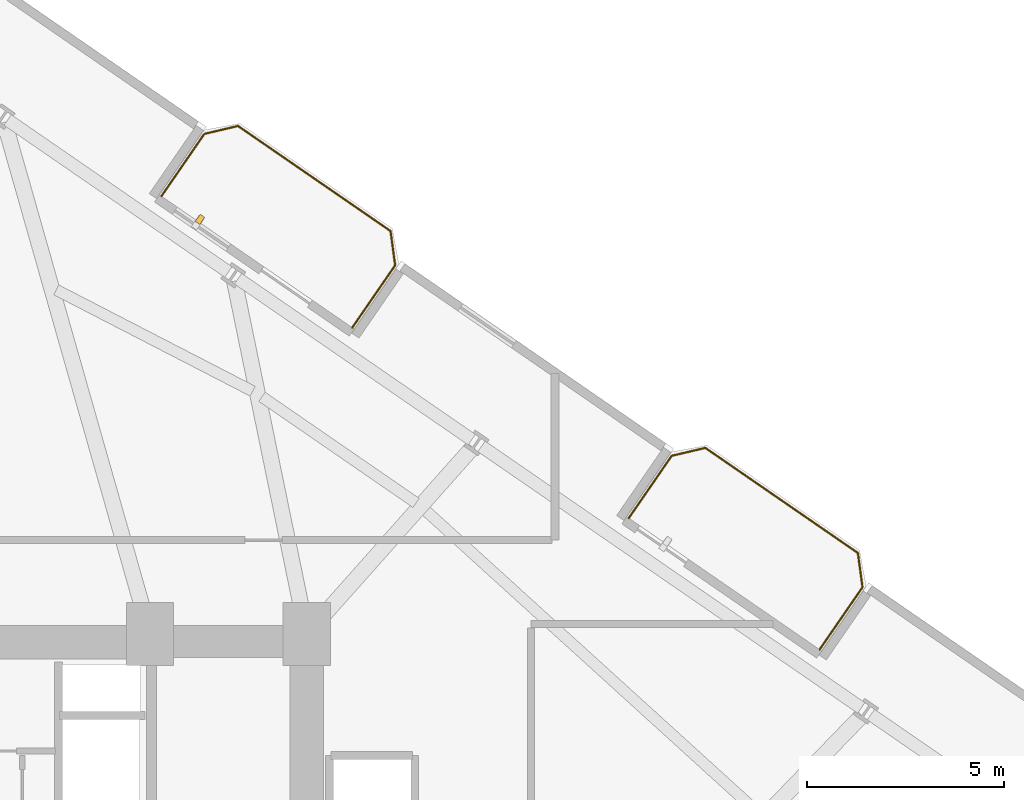
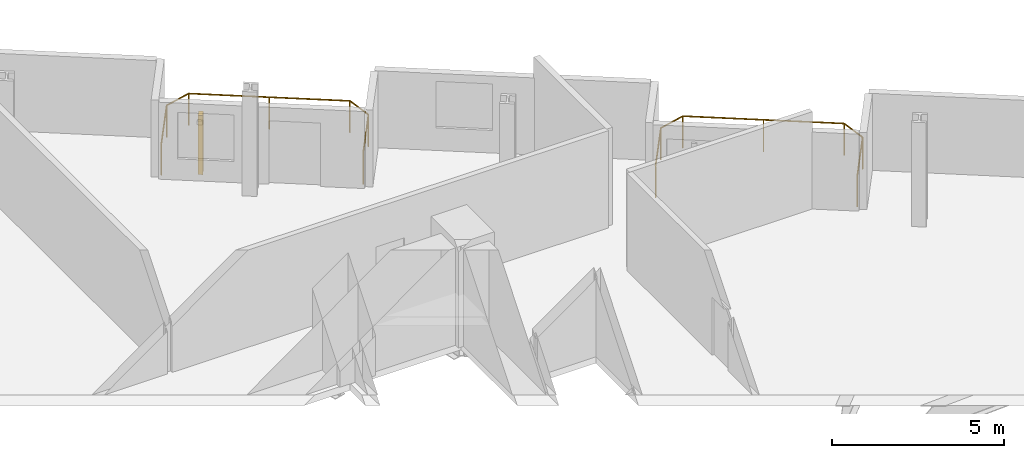
# One storey, part 24 of 24: 2 railings, 1 shading device.
"""IFC4 building model written with IfcOpenShell, lengths in metres."""

from ifc_helpers import new_model, si_unit, direction, frame, origin, origin_2d, place, context, subcontext, project, spatial, rectangle, circle, extrude, source, transform, mapped, material, type_object, element, save


model = new_model("IFC4")

# Units and contexts
model_context = context("Model", 3, precision=1e-05, world=origin(), true_north=direction((0.0, 1.0)))
body_context = subcontext(model_context, "Body", "Model", "MODEL_VIEW")
ifc_project = project(units=[si_unit("LENGTHUNIT", "METRE"), si_unit("AREAUNIT", "SQUARE_METRE"), si_unit("VOLUMEUNIT", "CUBIC_METRE"), si_unit("PLANEANGLEUNIT", "RADIAN"), si_unit("MASSUNIT", "GRAM", prefix="KILO")], contexts=[model_context])

# Site, building, storey
site_placement = place(None, origin())
site = spatial("IfcSite", under=ifc_project, at=site_placement, CompositionType="ELEMENT")
building_placement = place(site_placement, origin())
building = spatial("IfcBuilding", under=site, at=building_placement, Name="Varnelok Gate Tower", CompositionType="ELEMENT")
storey_placement = place(building_placement, frame((0.0, 0.0, 38.10009765625)))
storey = spatial("IfcBuildingStorey", under=building, at=storey_placement, Name="L08", CompositionType="ELEMENT", Elevation=38.10009765625)

# Railings
ifc_material_1 = material(Name="Low-E Laminated Double Glazing IGU", Category="glass")
railing_type = type_object("IfcRailingType", Name="RL-BALC-1150", PredefinedType="BALUSTRADE", material=ifc_material_1)
railing_1_placement = place(storey_placement, frame((44.010009765625, 50.158203125, 0.0)))
element("IfcRailing", 1, at=railing_1_placement, inside=storey, type_object=railing_type, Name="L08 North Terrace Balustrade 3", PredefinedType="BALUSTRADE", context=body_context, shape_type="SweptSolid", body=[
    extrude(circle(Radius=0.02392578125, at=origin_2d()), frame((0.0, 0.0, 1.1259765625), z_axis=(0.567284155424, 0.82352212296, 0.0), x_axis=(-0.82352212296, 0.567284155424, 0.0)), (0.0, 0.0, 1.0), 1.919921875),
    extrude(circle(Radius=0.02392578125, at=origin_2d()), frame((1.089111328125, 1.5810546875, 1.1259765625), z_axis=(0.973526462254, 0.228574336467, 0.0), x_axis=(-0.228574336467, 0.973526462254, 0.0)), (0.0, 0.0, 1.0), 0.8779296875),
    extrude(circle(Radius=0.02392578125, at=origin_2d()), frame((1.94384765625, 1.78173828125, 1.1259765625), z_axis=(0.823523239622, -0.567282534371, 0.0), x_axis=(0.567282534371, 0.823523239622, 0.0)), (0.0, 0.0, 1.0), 4.699951171875),
    extrude(circle(Radius=0.02392578125, at=origin_2d()), frame((5.814453125, -0.884521484375, 1.1259765625), z_axis=(0.133238627421, -0.991083986433, 0.0), x_axis=(0.991083986433, 0.133238627421, 0.0)), (0.0, 0.0, 1.0), 0.877685546875),
    extrude(circle(Radius=0.02392578125, at=origin_2d()), frame((5.931396484375, -1.75439453125, 1.1259765625), z_axis=(-0.567224752248, -0.823563039747, 0.0), x_axis=(0.823563039747, -0.567224752248, 0.0)), (0.0, 0.0, 1.0), 1.920166015625),
    extrude(circle(Radius=0.02099609375, at=origin_2d()), origin(), (0.0, 0.0, 1.0), 1.101806640625),
    extrude(circle(Radius=0.02099609375, at=origin_2d()), frame((1.089111328125, 1.5810546875, 0.0)), (0.0, 0.0, 1.0), 1.101806640625),
    extrude(circle(Radius=0.02099609375, at=origin_2d()), frame((1.94384765625, 1.78173828125, 0.0)), (0.0, 0.0, 1.0), 1.101806640625),
    extrude(circle(Radius=0.02099609375, at=origin_2d()), frame((3.879150390625, 0.44873046875, 0.0)), (0.0, 0.0, 1.0), 1.101806640625),
    extrude(circle(Radius=0.02099609375, at=origin_2d()), frame((5.814453125, -0.884521484375, 0.0)), (0.0, 0.0, 1.0), 1.101806640625),
    extrude(circle(Radius=0.02099609375, at=origin_2d()), frame((5.931396484375, -1.75439453125, 0.0)), (0.0, 0.0, 1.0), 1.101806640625),
    extrude(circle(Radius=0.02099609375, at=origin_2d()), frame((4.84228515625, -3.335693359375, 0.0)), (0.0, 0.0, 1.0), 1.101806640625),
])
railing_2_placement = place(storey_placement, frame((55.868896484375, 41.989501953125, 0.0)))
element("IfcRailing", 2, at=railing_2_placement, inside=storey, type_object=railing_type, Name="L08 North Terrace Balustrade 4", PredefinedType="BALUSTRADE", context=body_context, shape_type="SweptSolid", body=[
    extrude(circle(Radius=0.02392578125, at=origin_2d()), frame((0.0, 0.0, 1.1259765625), z_axis=(0.567284155424, 0.82352212296, 0.0), x_axis=(-0.82352212296, 0.567284155424, 0.0)), (0.0, 0.0, 1.0), 1.919921875),
    extrude(circle(Radius=0.02392578125, at=origin_2d()), frame((1.089111328125, 1.5810546875, 1.1259765625), z_axis=(0.973526462254, 0.228574336467, 0.0), x_axis=(-0.228574336467, 0.973526462254, 0.0)), (0.0, 0.0, 1.0), 0.8779296875),
    extrude(circle(Radius=0.02392578125, at=origin_2d()), frame((1.94384765625, 1.78173828125, 1.1259765625), z_axis=(0.823523239622, -0.567282534371, 0.0), x_axis=(0.567282534371, 0.823523239622, 0.0)), (0.0, 0.0, 1.0), 4.699951171875),
    extrude(circle(Radius=0.02392578125, at=origin_2d()), frame((5.814453125, -0.884521484375, 1.1259765625), z_axis=(0.133238627421, -0.991083986433, 0.0), x_axis=(0.991083986433, 0.133238627421, 0.0)), (0.0, 0.0, 1.0), 0.877685546875),
    extrude(circle(Radius=0.02392578125, at=origin_2d()), frame((5.931396484375, -1.75439453125, 1.1259765625), z_axis=(-0.567224752248, -0.823563039747, 0.0), x_axis=(0.823563039747, -0.567224752248, 0.0)), (0.0, 0.0, 1.0), 1.920166015625),
    extrude(circle(Radius=0.02099609375, at=origin_2d()), origin(), (0.0, 0.0, 1.0), 1.101806640625),
    extrude(circle(Radius=0.02099609375, at=origin_2d()), frame((1.089111328125, 1.5810546875, 0.0)), (0.0, 0.0, 1.0), 1.101806640625),
    extrude(circle(Radius=0.02099609375, at=origin_2d()), frame((1.94384765625, 1.78173828125, 0.0)), (0.0, 0.0, 1.0), 1.101806640625),
    extrude(circle(Radius=0.02099609375, at=origin_2d()), frame((3.879150390625, 0.44873046875, 0.0)), (0.0, 0.0, 1.0), 1.101806640625),
    extrude(circle(Radius=0.02099609375, at=origin_2d()), frame((5.814453125, -0.884521484375, 0.0)), (0.0, 0.0, 1.0), 1.101806640625),
    extrude(circle(Radius=0.02099609375, at=origin_2d()), frame((5.931396484375, -1.75439453125, 0.0)), (0.0, 0.0, 1.0), 1.101806640625),
    extrude(circle(Radius=0.02099609375, at=origin_2d()), frame((4.84228515625, -3.335693359375, 0.0)), (0.0, 0.0, 1.0), 1.101806640625),
])

# Shading device
ifc_material_2 = material(Name="Glazed Architectural Terracotta Ceramic", Category="masonry")
shading_device_type = type_object("IfcShadingDeviceType", Name="SHD-TERRA-BAGUETTE", PredefinedType="USERDEFINED", material=ifc_material_2)
shared_shape = source(origin(), body_context, "Body", "SweptSolid", [
    extrude(rectangle(XDim=0.139892578125, YDim=0.219970703125, at=origin_2d()), origin(), (0.0, 0.0, 1.0), 2.10009765625),
])
shading_device_placement = place(storey_placement, frame((44.988525390625, 49.569091796875, 0.099853515625), z_axis=(0.0, 0.0, 1.0), x_axis=(0.823532597628, -0.567268949127, 0.0)))
element("IfcShadingDevice", 3, at=shading_device_placement, inside=storey, type_object=shading_device_type, Name="L08 Terracotta Ceramic Baguette Sunscreen 3.1", ObjectType="BAGUETTE", PredefinedType="USERDEFINED", context=body_context, shape_type="MappedRepresentation", body=[
    mapped(shared_shape, transform((0.0, 0.0, 0.0), scale=1.0)),
])

save(model, "model.ifc")
